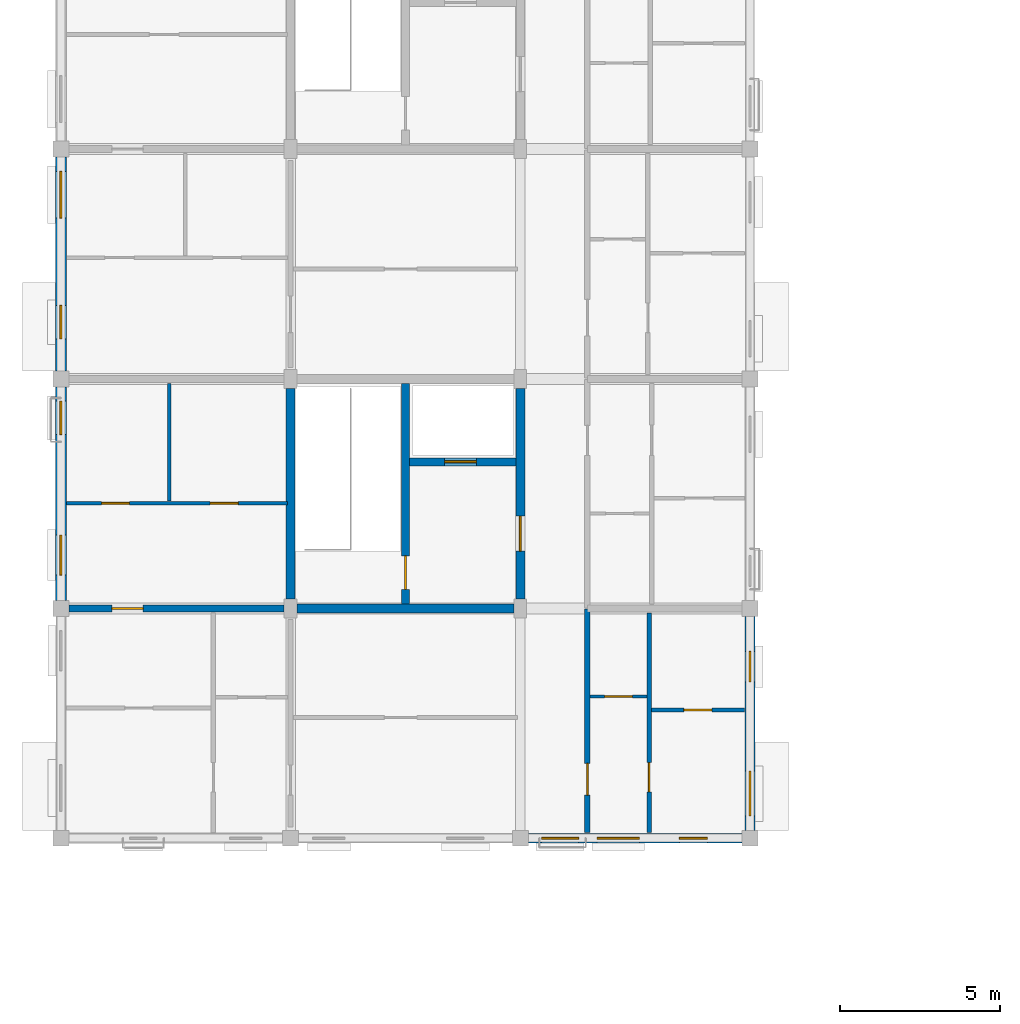
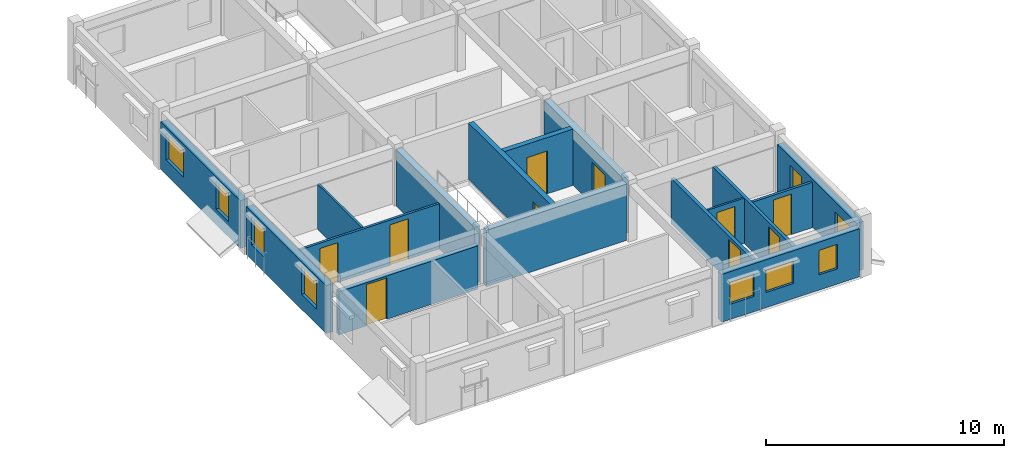
# One storey, part 44 of 64: 16 walls, 10 doors, 9 windows, 19 openings.
"""IFC4 building model written with IfcOpenShell, lengths in metres."""

from ifc_helpers import new_model, si_unit, direction, frame, frame_2d, origin, place, context, subcontext, project, spatial, rectangle, extrude, material, layer, layer_set, type_object, element, fill, save


model = new_model("IFC4")

# Units and contexts
model_context = context("Model", 3, precision=1e-05, world=origin(), true_north=direction((0.0, 1.0)))
body_context = subcontext(model_context, "Body", "Model", "MODEL_VIEW")
ifc_project = project(units=[si_unit("LENGTHUNIT", "METRE"), si_unit("AREAUNIT", "SQUARE_METRE"), si_unit("VOLUMEUNIT", "CUBIC_METRE"), si_unit("PLANEANGLEUNIT", "RADIAN"), si_unit("MASSUNIT", "GRAM", prefix="KILO"), si_unit("THERMODYNAMICTEMPERATUREUNIT", "KELVIN"), si_unit("POWERUNIT", "WATT")], contexts=[model_context])

# Site, building, storey
site_placement = place(None, origin())
site = spatial("IfcSite", under=ifc_project, at=site_placement, CompositionType="ELEMENT")
building_placement = place(site_placement, origin())
building = spatial("IfcBuilding", under=site, at=building_placement, Name="Tavuni Mirador Residences", CompositionType="ELEMENT")
storey_placement = place(building_placement, frame((0.0, 0.0, 26.550048828125)))
storey = spatial("IfcBuildingStorey", under=building, at=storey_placement, Name="L08", CompositionType="ELEMENT", Elevation=26.550048828125)

# Wall, opening, door
ifc_material_1 = material(Name="Precast concrete C40/50", Category="concrete")
ifc_layer_1 = layer(ifc_material_1, 0.25, Name="Precast concrete C40/50", Category="concrete")
ifc_layer_set_1 = layer_set([ifc_layer_1], Name="Precast concrete C40/50")
wall_type_1 = type_object("IfcWallType", Name="WT-COR250", PredefinedType="SHEAR", material=ifc_layer_set_1)
wall_1_placement = place(storey_placement, frame((14.39990234375, 72.139892578125, 0.0), z_axis=(0.0, 0.0, 1.0), x_axis=(0.0, 1.0, 0.0)))
wall_1 = element("IfcWall", 1, at=wall_1_placement, inside=storey, type_object=wall_type_1, Name="CWALL-C3-L08-MID", PredefinedType="SHEAR", context=body_context, shape_type="SweptSolid", body=[
    extrude(rectangle(XDim=6.920166015625, YDim=0.25, at=frame_2d((3.4599609375, 0.0))), origin(), (0.0, 0.0, 1.0), 2.889892578125),
])
opening_1_placement = place(wall_1_placement, frame((0.4599609375, 0.0, 0.0)))
opening_1 = element("IfcOpeningElement", 2, at=opening_1_placement, cuts=wall_1, Name="Opening D-01", PredefinedType="OPENING", context=body_context, shape_type="SweptSolid", body=[
    extrude(rectangle(XDim=1.050048828125, YDim=2.14990234375, at=frame_2d((0.52490234375, 1.074951171875))), frame((0.0, 0.135009765625, 0.0), z_axis=(0.0, -1.0, 0.0), x_axis=(1.0, 0.0, 0.0)), (0.0, 0.0, 1.0), 0.27001953125),
])
ifc_material_2 = material(Name="Solid core iroko timber", Category="wood")
door_type_1 = type_object("IfcDoorType", Name="DT-ST1050", OperationType="NOTDEFINED", PredefinedType="DOOR", material=ifc_material_2)
door_1_placement = place(opening_1_placement, origin())
door_1 = element("IfcDoor", 3, at=door_1_placement, inside=storey, type_object=door_type_1, Name="DR-2137", OperationType="SINGLE_SWING_LEFT", OverallHeight=2.14990234375, OverallWidth=1.050048828125, PredefinedType="DOOR", context=body_context, shape_type="SweptSolid", body=[
    extrude(rectangle(XDim=1.050048828125, YDim=2.14990234375, at=frame_2d((0.52490234375, 1.074951171875))), frame((0.0, 0.02490234375, 0.0), z_axis=(0.0, -1.0, 0.0), x_axis=(1.0, 0.0, 0.0)), (0.0, 0.0, 1.0), 0.050048828125),
])
fill(opening_1, door_1)

wall_2_placement = place(storey_placement, frame((14.52490234375, 76.60009765625, 0.0), z_axis=(0.0, 0.0, 1.0), x_axis=(1.0, 0.0, 0.0)))
wall_2 = element("IfcWall", 4, at=wall_2_placement, inside=storey, type_object=wall_type_1, Name="CWALL-C3-L08-SHF", PredefinedType="SHEAR", context=body_context, shape_type="SweptSolid", body=[
    extrude(rectangle(XDim=3.335205078125, YDim=0.25, at=frame_2d((1.66748046875, 0.0))), origin(), (0.0, 0.0, 1.0), 2.889892578125),
])
opening_2_placement = place(wall_2_placement, frame((1.10009765625, 0.0, 0.0)))
opening_2 = element("IfcOpeningElement", 5, at=opening_2_placement, cuts=wall_2, Name="Opening LD-02", PredefinedType="OPENING", context=body_context, shape_type="SweptSolid", body=[
    extrude(rectangle(XDim=1.0, YDim=2.199951171875, at=frame_2d((0.5, 1.10009765625))), frame((0.0, 0.135009765625, 0.0), z_axis=(0.0, -1.0, 0.0), x_axis=(1.0, 0.0, 0.0)), (0.0, 0.0, 1.0), 0.27001953125),
])
ifc_material_3 = material(Name="Structural steel S355", Category="steel")
door_type_2 = type_object("IfcDoorType", Name="DT-LD-PAX", OperationType="SLIDING_TO_LEFT", PredefinedType="DOOR", material=ifc_material_3)
door_2_placement = place(opening_2_placement, origin())
door_2 = element("IfcDoor", 6, at=door_2_placement, inside=storey, type_object=door_type_2, Name="Lift landing door PL-B1 L08", OperationType="SLIDING_TO_LEFT", OverallHeight=2.199951171875, OverallWidth=1.0, PredefinedType="DOOR", context=body_context, shape_type="SweptSolid", body=[
    extrude(rectangle(XDim=1.0, YDim=2.199951171875, at=frame_2d((0.5, 1.10009765625))), frame((0.0, 0.02490234375, 0.0), z_axis=(0.0, -1.0, 0.0), x_axis=(1.0, 0.0, 0.0)), (0.0, 0.0, 1.0), 0.050048828125),
])
fill(opening_2, door_2)

# Wall
ifc_layer_2 = layer(ifc_material_1, 0.280029296875, Name="Precast concrete C40/50", Category="concrete")
ifc_layer_set_2 = layer_set([ifc_layer_2], Name="Precast concrete C40/50")
wall_type_2 = type_object("IfcWallType", Name="WT-COR280", PredefinedType="SHEAR", material=ifc_layer_set_2)
wall_3_placement = place(storey_placement, frame((10.800048828125, 72.300048828125, 0.0), z_axis=(0.0, 0.0, 1.0), x_axis=(0.0, 1.0, 0.0)))
element("IfcWall", 7, at=wall_3_placement, inside=storey, type_object=wall_type_2, Name="CWALL-C3-L08-W", PredefinedType="SHEAR", context=body_context, shape_type="SweptSolid", body=[
    extrude(rectangle(XDim=6.599853515625, YDim=0.280029296875, at=frame_2d((3.2998046875, 0.0))), origin(), (0.0, 0.0, 1.0), 2.889892578125),
])

# Wall, opening, door
wall_4_placement = place(storey_placement, frame((18.0, 72.300048828125, 0.0), z_axis=(0.0, 0.0, 1.0), x_axis=(0.0, 1.0, 0.0)))
wall_4 = element("IfcWall", 8, at=wall_4_placement, inside=storey, type_object=wall_type_2, Name="CWALL-C3-L08-E", PredefinedType="SHEAR", context=body_context, shape_type="SweptSolid", body=[
    extrude(rectangle(XDim=6.599853515625, YDim=0.280029296875, at=frame_2d((3.2998046875, 0.0))), origin(), (0.0, 0.0, 1.0), 2.889892578125),
])
opening_3_placement = place(wall_4_placement, frame((1.5, 0.0, 0.0)))
opening_3 = element("IfcOpeningElement", 9, at=opening_3_placement, cuts=wall_4, Name="Opening D-02", PredefinedType="OPENING", context=body_context, shape_type="SweptSolid", body=[
    extrude(rectangle(XDim=1.10009765625, YDim=2.14990234375, at=frame_2d((0.550048828125, 1.074951171875))), frame((0.0, 0.14990234375, 0.0), z_axis=(0.0, -1.0, 0.0), x_axis=(1.0, 0.0, 0.0)), (0.0, 0.0, 1.0), 0.300048828125),
])
door_type_3 = type_object("IfcDoorType", Name="DT-LOB1100", OperationType="NOTDEFINED", PredefinedType="DOOR", material=ifc_material_2)
door_3_placement = place(opening_3_placement, frame((1.10009765625, 0.0, 0.0), z_axis=(0.0, 0.0, 1.0), x_axis=(-1.0, 0.0, 0.0)))
door_3 = element("IfcDoor", 10, at=door_3_placement, inside=storey, type_object=door_type_3, Name="DR-2136", OperationType="SINGLE_SWING_LEFT", OverallHeight=2.14990234375, OverallWidth=1.10009765625, PredefinedType="DOOR", context=body_context, shape_type="SweptSolid", body=[
    extrude(rectangle(XDim=1.10009765625, YDim=2.14990234375, at=frame_2d((0.550048828125, 1.074951171875))), frame((0.0, 0.02490234375, 0.0), z_axis=(0.0, -1.0, 0.0), x_axis=(1.0, 0.0, 0.0)), (0.0, 0.0, 1.0), 0.050048828125),
])
fill(opening_3, door_3)

# Wall
wall_5_placement = place(storey_placement, frame((11.0, 72.0, 0.0), z_axis=(0.0, 0.0, 1.0), x_axis=(1.0, 0.0, 0.0)))
element("IfcWall", 11, at=wall_5_placement, inside=storey, type_object=wall_type_2, Name="CWALL-C3-L08-SS", PredefinedType="SHEAR", context=body_context, shape_type="SweptSolid", body=[
    extrude(rectangle(XDim=6.800048828125, YDim=0.280029296875, at=frame_2d((3.39990234375, 0.0))), origin(), (0.0, 0.0, 1.0), 2.889892578125),
])

# Wall, opening, door
ifc_layer_3 = layer(ifc_material_1, 0.1650390625, Name="Precast concrete C40/50", Category="concrete")
ifc_layer_set_3 = layer_set([ifc_layer_3], Name="Precast concrete C40/50")
wall_type_3 = type_object("IfcWallType", Name="WT-CORR165", PredefinedType="PARTITIONING", material=ifc_layer_set_3)
wall_6_placement = place(storey_placement, frame((20.10009765625, 64.97509765625, 0.0), z_axis=(0.0, 0.0, 1.0), x_axis=(0.0, 1.0, 0.0)))
wall_6 = element("IfcWall", 12, at=wall_6_placement, inside=storey, type_object=wall_type_3, Name="CORW-BLK-B-L08-0-00", PredefinedType="PARTITIONING", context=body_context, shape_type="SweptSolid", body=[
    extrude(rectangle(XDim=7.0048828125, YDim=0.1650390625, at=frame_2d((3.50244140625, 0.0))), origin(), (0.0, 0.0, 1.0), 2.324951171875),
])
opening_4_placement = place(wall_6_placement, frame((1.175048828125, 0.0, 0.0)))
opening_4 = element("IfcOpeningElement", 13, at=opening_4_placement, cuts=wall_6, Name="Opening D-03", PredefinedType="OPENING", context=body_context, shape_type="SweptSolid", body=[
    extrude(rectangle(XDim=1.0, YDim=2.14990234375, at=frame_2d((0.5, 1.074951171875))), frame((0.0, 0.092529296875, 0.0), z_axis=(0.0, -1.0, 0.0), x_axis=(1.0, 0.0, 0.0)), (0.0, 0.0, 1.0), 0.18505859375),
])
door_type_4 = type_object("IfcDoorType", Name="DT-FD60-1000", OperationType="NOTDEFINED", PredefinedType="DOOR", material=ifc_material_2)
door_4_placement = place(opening_4_placement, origin())
door_4 = element("IfcDoor", 14, at=door_4_placement, inside=storey, type_object=door_type_4, Name="DR-2589", OperationType="SINGLE_SWING_RIGHT", OverallHeight=2.14990234375, OverallWidth=1.0, PredefinedType="DOOR", context=body_context, shape_type="SweptSolid", body=[
    extrude(rectangle(XDim=1.0, YDim=2.14990234375, at=frame_2d((0.5, 1.074951171875))), frame((0.0, 0.02490234375, 0.0), z_axis=(0.0, -1.0, 0.0), x_axis=(1.0, 0.0, 0.0)), (0.0, 0.0, 1.0), 0.050048828125),
])
fill(opening_4, door_4)

# Wall, openings, windows
ifc_material_4 = material(Name="Sgraffito lime-rendered precast concrete C40/50", Category="concrete")
ifc_layer_4 = layer(ifc_material_4, 0.2900390625, Name="Sgraffito lime-rendered precast concrete C40/50", Category="concrete")
ifc_layer_set_4 = layer_set([ifc_layer_4], Name="Sgraffito lime-rendered precast concrete C40/50")
wall_type_4 = type_object("IfcWallType", Name="WT-EXT-PC290", PredefinedType="SOLIDWALL", material=ifc_layer_set_4)
wall_7_placement = place(storey_placement, frame((18.25, 64.800048828125, 0.0), z_axis=(0.0, 0.0, 1.0), x_axis=(1.0, 0.0, 0.0)))
wall_7 = element("IfcWall", 15, at=wall_7_placement, inside=storey, type_object=wall_type_4, Name="EW-BLK-B-L08-S02", PredefinedType="SOLIDWALL", context=body_context, shape_type="SweptSolid", body=[
    extrude(rectangle(XDim=6.699951171875, YDim=0.2900390625, at=frame_2d((3.35009765625, 0.0))), origin(), (0.0, 0.0, 1.0), 2.4599609375),
])
opening_5_placement = place(wall_7_placement, frame((0.4150390625, 0.0, 0.780029296875)))
opening_5 = element("IfcOpeningElement", 16, at=opening_5_placement, cuts=wall_7, Name="Opening WN-05", PredefinedType="OPENING", context=body_context, shape_type="SweptSolid", body=[
    extrude(rectangle(XDim=1.159912109375, YDim=1.14990234375, at=frame_2d((0.580078125, 0.574951171875))), frame((0.0, 0.155029296875, 0.0), z_axis=(0.0, -1.0, 0.0), x_axis=(1.0, 0.0, 0.0)), (0.0, 0.0, 1.0), 0.31005859375),
])
opening_6_placement = place(wall_7_placement, frame((2.159912109375, 0.0, 0.780029296875)))
opening_6 = element("IfcOpeningElement", 17, at=opening_6_placement, cuts=wall_7, Name="Opening WN-07", PredefinedType="OPENING", context=body_context, shape_type="SweptSolid", body=[
    extrude(rectangle(XDim=1.320068359375, YDim=1.14990234375, at=frame_2d((0.66015625, 0.574951171875))), frame((0.0, 0.155029296875, 0.0), z_axis=(0.0, -1.0, 0.0), x_axis=(1.0, 0.0, 0.0)), (0.0, 0.0, 1.0), 0.31005859375),
])
opening_7_placement = place(wall_7_placement, frame((4.735107421875, 0.0, 0.780029296875)))
opening_7 = element("IfcOpeningElement", 18, at=opening_7_placement, cuts=wall_7, Name="Opening WN-09", PredefinedType="OPENING", context=body_context, shape_type="SweptSolid", body=[
    extrude(rectangle(XDim=0.8798828125, YDim=1.260009765625, at=frame_2d((0.43994140625, 0.6298828125))), frame((0.0, 0.155029296875, 0.0), z_axis=(0.0, -1.0, 0.0), x_axis=(1.0, 0.0, 0.0)), (0.0, 0.0, 1.0), 0.31005859375),
])
ifc_material_5 = material(Name="Laminated solar-control glass", Category="glass")
window_type_1 = type_object("IfcWindowType", Name="WNT-05", PartitioningType="SINGLE_PANEL", PredefinedType="WINDOW", material=ifc_material_5)
window_1_placement = place(opening_5_placement, origin())
window_1 = element("IfcWindow", 19, at=window_1_placement, inside=storey, type_object=window_type_1, Name="WIN-0776", OverallHeight=1.14990234375, OverallWidth=1.159912109375, PartitioningType="SINGLE_PANEL", PredefinedType="WINDOW", context=body_context, shape_type="SweptSolid", body=[
    extrude(rectangle(XDim=1.159912109375, YDim=1.14990234375, at=frame_2d((0.580078125, 0.574951171875))), frame((0.0, 0.030029296875, 0.0), z_axis=(0.0, -1.0, 0.0), x_axis=(1.0, 0.0, 0.0)), (0.0, 0.0, 1.0), 0.06005859375),
])
fill(opening_5, window_1)
window_type_2 = type_object("IfcWindowType", Name="WNT-07", PartitioningType="SINGLE_PANEL", PredefinedType="WINDOW", material=ifc_material_5)
window_2_placement = place(opening_6_placement, origin())
window_2 = element("IfcWindow", 20, at=window_2_placement, inside=storey, type_object=window_type_2, Name="WIN-0777", OverallHeight=1.14990234375, OverallWidth=1.320068359375, PartitioningType="SINGLE_PANEL", PredefinedType="WINDOW", context=body_context, shape_type="SweptSolid", body=[
    extrude(rectangle(XDim=1.320068359375, YDim=1.14990234375, at=frame_2d((0.66015625, 0.574951171875))), frame((0.0, 0.030029296875, 0.0), z_axis=(0.0, -1.0, 0.0), x_axis=(1.0, 0.0, 0.0)), (0.0, 0.0, 1.0), 0.06005859375),
])
fill(opening_6, window_2)
window_type_3 = type_object("IfcWindowType", Name="WNT-09", PartitioningType="SINGLE_PANEL", PredefinedType="WINDOW", material=ifc_material_5)
window_3_placement = place(opening_7_placement, origin())
window_3 = element("IfcWindow", 21, at=window_3_placement, inside=storey, type_object=window_type_3, Name="WIN-0778", OverallHeight=1.260009765625, OverallWidth=0.8798828125, PartitioningType="SINGLE_PANEL", PredefinedType="WINDOW", context=body_context, shape_type="SweptSolid", body=[
    extrude(rectangle(XDim=0.8798828125, YDim=1.260009765625, at=frame_2d((0.43994140625, 0.6298828125))), frame((0.0, 0.030029296875, 0.0), z_axis=(0.0, -1.0, 0.0), x_axis=(1.0, 0.0, 0.0)), (0.0, 0.0, 1.0), 0.06005859375),
])
fill(opening_7, window_3)

ifc_layer_5 = layer(ifc_material_4, 0.31494140625, Name="Sgraffito lime-rendered precast concrete C40/50", Category="concrete")
ifc_layer_set_5 = layer_set([ifc_layer_5], Name="Sgraffito lime-rendered precast concrete C40/50")
wall_type_5 = type_object("IfcWallType", Name="WT-EXT-PC315", PredefinedType="SOLIDWALL", material=ifc_layer_set_5)
wall_8_placement = place(storey_placement, frame((25.199951171875, 65.050048828125, 0.0), z_axis=(0.0, 0.0, 1.0), x_axis=(0.0, 1.0, 0.0)))
wall_8 = element("IfcWall", 22, at=wall_8_placement, inside=storey, type_object=wall_type_5, Name="EW-BLK-B-L08-E00", PredefinedType="SOLIDWALL", context=body_context, shape_type="SweptSolid", body=[
    extrude(rectangle(XDim=6.699951171875, YDim=0.31494140625, at=frame_2d((3.35009765625, 0.0))), origin(), (0.0, 0.0, 1.0), 2.4599609375),
])
opening_8_placement = place(wall_8_placement, frame((0.449951171875, 0.0, 0.780029296875)))
opening_8 = element("IfcOpeningElement", 23, at=opening_8_placement, cuts=wall_8, Name="Opening WN-08", PredefinedType="OPENING", context=body_context, shape_type="SweptSolid", body=[
    extrude(rectangle(XDim=1.39990234375, YDim=1.14990234375, at=frame_2d((0.699951171875, 0.574951171875))), frame((0.0, 0.16748046875, 0.0), z_axis=(0.0, -1.0, 0.0), x_axis=(1.0, 0.0, 0.0)), (0.0, 0.0, 1.0), 0.3349609375),
])
opening_9_placement = place(wall_8_placement, frame((4.64990234375, 0.0, 0.780029296875)))
opening_9 = element("IfcOpeningElement", 24, at=opening_9_placement, cuts=wall_8, Name="Opening WN-10", PredefinedType="OPENING", context=body_context, shape_type="SweptSolid", body=[
    extrude(rectangle(XDim=0.9599609375, YDim=1.260009765625, at=frame_2d((0.47998046875, 0.6298828125))), frame((0.0, 0.16748046875, 0.0), z_axis=(0.0, -1.0, 0.0), x_axis=(1.0, 0.0, 0.0)), (0.0, 0.0, 1.0), 0.3349609375),
])
window_type_4 = type_object("IfcWindowType", Name="WNT-08", PartitioningType="SINGLE_PANEL", PredefinedType="WINDOW", material=ifc_material_5)
window_4_placement = place(opening_8_placement, origin())
window_4 = element("IfcWindow", 25, at=window_4_placement, inside=storey, type_object=window_type_4, Name="WIN-0779", OverallHeight=1.14990234375, OverallWidth=1.39990234375, PartitioningType="SINGLE_PANEL", PredefinedType="WINDOW", context=body_context, shape_type="SweptSolid", body=[
    extrude(rectangle(XDim=1.39990234375, YDim=1.14990234375, at=frame_2d((0.699951171875, 0.574951171875))), frame((0.0, 0.030029296875, 0.0), z_axis=(0.0, -1.0, 0.0), x_axis=(1.0, 0.0, 0.0)), (0.0, 0.0, 1.0), 0.06005859375),
])
fill(opening_8, window_4)
window_type_5 = type_object("IfcWindowType", Name="WNT-10", PartitioningType="SINGLE_PANEL", PredefinedType="WINDOW", material=ifc_material_5)
window_5_placement = place(opening_9_placement, origin())
window_5 = element("IfcWindow", 26, at=window_5_placement, inside=storey, type_object=window_type_5, Name="WIN-0780", OverallHeight=1.260009765625, OverallWidth=0.9599609375, PartitioningType="SINGLE_PANEL", PredefinedType="WINDOW", context=body_context, shape_type="SweptSolid", body=[
    extrude(rectangle(XDim=0.9599609375, YDim=1.260009765625, at=frame_2d((0.47998046875, 0.6298828125))), frame((0.0, 0.030029296875, 0.0), z_axis=(0.0, -1.0, 0.0), x_axis=(1.0, 0.0, 0.0)), (0.0, 0.0, 1.0), 0.06005859375),
])
fill(opening_9, window_5)

ifc_layer_6 = layer(ifc_material_4, 0.344970703125, Name="Sgraffito lime-rendered precast concrete C40/50", Category="concrete")
ifc_layer_set_6 = layer_set([ifc_layer_6], Name="Sgraffito lime-rendered precast concrete C40/50")
wall_type_6 = type_object("IfcWallType", Name="WT-EXT-PTY345", PredefinedType="SOLIDWALL", material=ifc_layer_set_6)
wall_9_placement = place(storey_placement, frame((3.60009765625, 86.14990234375, 0.0), z_axis=(0.0, 0.0, 1.0), x_axis=(0.0, -1.0, 0.0)))
wall_9 = element("IfcWall", 27, at=wall_9_placement, inside=storey, type_object=wall_type_6, Name="EW-BLK-B-L08-W02", PredefinedType="SOLIDWALL", context=body_context, shape_type="SweptSolid", body=[
    extrude(rectangle(XDim=6.699951171875, YDim=0.344970703125, at=frame_2d((3.35009765625, 0.0))), origin(), (0.0, 0.0, 1.0), 2.4599609375),
])
opening_10_placement = place(wall_9_placement, frame((0.449951171875, 0.0, 0.780029296875)))
opening_10 = element("IfcOpeningElement", 28, at=opening_10_placement, cuts=wall_9, Name="Opening WN-24", PredefinedType="OPENING", context=body_context, shape_type="SweptSolid", body=[
    extrude(rectangle(XDim=1.4599609375, YDim=1.360107421875, at=frame_2d((0.72998046875, 0.68017578125))), frame((0.0, 0.1826171875, 0.0), z_axis=(0.0, -1.0, 0.0), x_axis=(1.0, 0.0, 0.0)), (0.0, 0.0, 1.0), 0.364990234375),
])
opening_11_placement = place(wall_9_placement, frame((4.64990234375, 0.0, 0.780029296875)))
opening_11 = element("IfcOpeningElement", 29, at=opening_11_placement, cuts=wall_9, Name="Opening WN-26", PredefinedType="OPENING", context=body_context, shape_type="SweptSolid", body=[
    extrude(rectangle(XDim=1.050048828125, YDim=1.43994140625, at=frame_2d((0.52490234375, 0.719970703125))), frame((0.0, 0.1826171875, 0.0), z_axis=(0.0, -1.0, 0.0), x_axis=(1.0, 0.0, 0.0)), (0.0, 0.0, 1.0), 0.364990234375),
])
window_type_6 = type_object("IfcWindowType", Name="WNT-24", PartitioningType="SINGLE_PANEL", PredefinedType="WINDOW", material=ifc_material_5)
window_6_placement = place(opening_10_placement, origin())
window_6 = element("IfcWindow", 30, at=window_6_placement, inside=storey, type_object=window_type_6, Name="WIN-0795", OverallHeight=1.360107421875, OverallWidth=1.4599609375, PartitioningType="SINGLE_PANEL", PredefinedType="WINDOW", context=body_context, shape_type="SweptSolid", body=[
    extrude(rectangle(XDim=1.4599609375, YDim=1.360107421875, at=frame_2d((0.72998046875, 0.68017578125))), frame((0.0, 0.030029296875, 0.0), z_axis=(0.0, -1.0, 0.0), x_axis=(1.0, 0.0, 0.0)), (0.0, 0.0, 1.0), 0.06005859375),
])
fill(opening_10, window_6)
window_type_7 = type_object("IfcWindowType", Name="WNT-26", PartitioningType="SINGLE_PANEL", PredefinedType="WINDOW", material=ifc_material_5)
window_7_placement = place(opening_11_placement, origin())
window_7 = element("IfcWindow", 31, at=window_7_placement, inside=storey, type_object=window_type_7, Name="WIN-0796", OverallHeight=1.43994140625, OverallWidth=1.050048828125, PartitioningType="SINGLE_PANEL", PredefinedType="WINDOW", context=body_context, shape_type="SweptSolid", body=[
    extrude(rectangle(XDim=1.050048828125, YDim=1.43994140625, at=frame_2d((0.52490234375, 0.719970703125))), frame((0.0, 0.030029296875, 0.0), z_axis=(0.0, -1.0, 0.0), x_axis=(1.0, 0.0, 0.0)), (0.0, 0.0, 1.0), 0.06005859375),
])
fill(opening_11, window_7)

wall_10_placement = place(storey_placement, frame((3.60009765625, 78.949951171875, 0.0), z_axis=(0.0, 0.0, 1.0), x_axis=(0.0, -1.0, 0.0)))
wall_10 = element("IfcWall", 32, at=wall_10_placement, inside=storey, type_object=wall_type_6, Name="EW-BLK-B-L08-W01", PredefinedType="SOLIDWALL", context=body_context, shape_type="SweptSolid", body=[
    extrude(rectangle(XDim=6.699951171875, YDim=0.344970703125, at=frame_2d((3.35009765625, 0.0))), origin(), (0.0, 0.0, 1.0), 2.4599609375),
])
opening_12_placement = place(wall_10_placement, frame((0.449951171875, 0.0, 0.780029296875)))
opening_12 = element("IfcOpeningElement", 33, at=opening_12_placement, cuts=wall_10, Name="Opening WN-26", PredefinedType="OPENING", context=body_context, shape_type="SweptSolid", body=[
    extrude(rectangle(XDim=1.050048828125, YDim=1.43994140625, at=frame_2d((0.52490234375, 0.719970703125))), frame((0.0, 0.1826171875, 0.0), z_axis=(0.0, -1.0, 0.0), x_axis=(1.0, 0.0, 0.0)), (0.0, 0.0, 1.0), 0.364990234375),
])
opening_13_placement = place(wall_10_placement, frame((4.64990234375, 0.0, 0.780029296875)))
opening_13 = element("IfcOpeningElement", 34, at=opening_13_placement, cuts=wall_10, Name="Opening WN-28", PredefinedType="OPENING", context=body_context, shape_type="SweptSolid", body=[
    extrude(rectangle(XDim=1.25, YDim=1.43994140625, at=frame_2d((0.625, 0.719970703125))), frame((0.0, 0.1826171875, 0.0), z_axis=(0.0, -1.0, 0.0), x_axis=(1.0, 0.0, 0.0)), (0.0, 0.0, 1.0), 0.364990234375),
])
window_8_placement = place(opening_12_placement, origin())
window_8 = element("IfcWindow", 35, at=window_8_placement, inside=storey, type_object=window_type_7, Name="WIN-0797", OverallHeight=1.43994140625, OverallWidth=1.050048828125, PartitioningType="SINGLE_PANEL", PredefinedType="WINDOW", context=body_context, shape_type="SweptSolid", body=[
    extrude(rectangle(XDim=1.050048828125, YDim=1.43994140625, at=frame_2d((0.52490234375, 0.719970703125))), frame((0.0, 0.030029296875, 0.0), z_axis=(0.0, -1.0, 0.0), x_axis=(1.0, 0.0, 0.0)), (0.0, 0.0, 1.0), 0.06005859375),
])
fill(opening_12, window_8)
window_type_8 = type_object("IfcWindowType", Name="WNT-28", PartitioningType="SINGLE_PANEL", PredefinedType="WINDOW", material=ifc_material_5)
window_9_placement = place(opening_13_placement, origin())
window_9 = element("IfcWindow", 36, at=window_9_placement, inside=storey, type_object=window_type_8, Name="WIN-0798", OverallHeight=1.43994140625, OverallWidth=1.25, PartitioningType="SINGLE_PANEL", PredefinedType="WINDOW", context=body_context, shape_type="SweptSolid", body=[
    extrude(rectangle(XDim=1.25, YDim=1.43994140625, at=frame_2d((0.625, 0.719970703125))), frame((0.0, 0.030029296875, 0.0), z_axis=(0.0, -1.0, 0.0), x_axis=(1.0, 0.0, 0.0)), (0.0, 0.0, 1.0), 0.06005859375),
])
fill(opening_13, window_9)

# Wall, opening, door
ifc_material_6 = material(Name="Acoustic gypsum and concrete block partition", Category="concrete")
ifc_layer_7 = layer(ifc_material_6, 0.094970703125, Name="Acoustic gypsum and concrete block partition", Category="concrete")
ifc_layer_set_7 = layer_set([ifc_layer_7], Name="Acoustic gypsum and concrete block partition")
wall_type_7 = type_object("IfcWallType", Name="WT-PART095", PredefinedType="PARTITIONING", material=ifc_layer_set_7)
wall_11_placement = place(storey_placement, frame((20.18994140625, 69.239990234375, 0.0), z_axis=(0.0, 0.0, 1.0), x_axis=(1.0, 0.0, 0.0)))
wall_11 = element("IfcWall", 37, at=wall_11_placement, inside=storey, type_object=wall_type_7, Name="PW-BLK-B-L08-E00-IN1", PredefinedType="PARTITIONING", context=body_context, shape_type="SweptSolid", body=[
    extrude(rectangle(XDim=1.780029296875, YDim=0.094970703125, at=frame_2d((0.89013671875, 0.0))), origin(), (0.0, 0.0, 1.0), 2.324951171875),
])
opening_14_placement = place(wall_11_placement, frame((0.455078125, 0.0, 0.0)))
opening_14 = element("IfcOpeningElement", 38, at=opening_14_placement, cuts=wall_11, Name="Opening D-10", PredefinedType="OPENING", context=body_context, shape_type="SweptSolid", body=[
    extrude(rectangle(XDim=0.8701171875, YDim=2.050048828125, at=frame_2d((0.43505859375, 1.02490234375))), frame((0.0, 0.0576171875, 0.0), z_axis=(0.0, -1.0, 0.0), x_axis=(1.0, 0.0, 0.0)), (0.0, 0.0, 1.0), 0.114990234375),
])
door_type_5 = type_object("IfcDoorType", Name="DT-WC870", OperationType="NOTDEFINED", PredefinedType="DOOR", material=ifc_material_2)
door_5_placement = place(opening_14_placement, origin())
door_5 = element("IfcDoor", 39, at=door_5_placement, inside=storey, type_object=door_type_5, Name="DR-3627", OperationType="SINGLE_SWING_LEFT", OverallHeight=2.050048828125, OverallWidth=0.8701171875, PredefinedType="DOOR", context=body_context, shape_type="SweptSolid", body=[
    extrude(rectangle(XDim=0.8701171875, YDim=2.050048828125, at=frame_2d((0.43505859375, 1.02490234375))), frame((0.0, 0.02490234375, 0.0), z_axis=(0.0, -1.0, 0.0), x_axis=(1.0, 0.0, 0.0)), (0.0, 0.0, 1.0), 0.050048828125),
])
fill(opening_14, door_5)

# Wall
ifc_layer_8 = layer(ifc_material_6, 0.10498046875, Name="Acoustic gypsum and concrete block partition", Category="concrete")
ifc_layer_set_8 = layer_set([ifc_layer_8], Name="Acoustic gypsum and concrete block partition")
wall_type_8 = type_object("IfcWallType", Name="WT-PART105", PredefinedType="PARTITIONING", material=ifc_layer_set_8)
wall_12_placement = place(storey_placement, frame((7.0, 75.3701171875, 0.0), z_axis=(0.0, 0.0, 1.0), x_axis=(0.0, 1.0, 0.0)))
element("IfcWall", 40, at=wall_12_placement, inside=storey, type_object=wall_type_8, Name="PW-BLK-B-L08-PF01-V", PredefinedType="PARTITIONING", context=body_context, shape_type="SweptSolid", body=[
    extrude(rectangle(XDim=3.68994140625, YDim=0.10498046875, at=frame_2d((1.844970703125, 0.0))), origin(), (0.0, 0.0, 1.0), 2.324951171875),
])

# Wall, openings, doors
ifc_layer_9 = layer(ifc_material_6, 0.114990234375, Name="Acoustic gypsum and concrete block partition", Category="concrete")
ifc_layer_set_9 = layer_set([ifc_layer_9], Name="Acoustic gypsum and concrete block partition")
wall_type_9 = type_object("IfcWallType", Name="WT-PART115", PredefinedType="PARTITIONING", material=ifc_layer_set_9)
wall_13_placement = place(storey_placement, frame((3.77490234375, 75.300048828125, 0.0), z_axis=(0.0, 0.0, 1.0), x_axis=(1.0, 0.0, 0.0)))
wall_13 = element("IfcWall", 41, at=wall_13_placement, inside=storey, type_object=wall_type_9, Name="PW-BLK-B-L08-PF01-H", PredefinedType="PARTITIONING", context=body_context, shape_type="SweptSolid", body=[
    extrude(rectangle(XDim=6.93505859375, YDim=0.114990234375, at=frame_2d((3.467529296875, 0.0))), origin(), (0.0, 0.0, 1.0), 2.324951171875),
])
opening_15_placement = place(wall_13_placement, frame((1.10009765625, 0.0, 0.0)))
opening_15 = element("IfcOpeningElement", 42, at=opening_15_placement, cuts=wall_13, Name="Opening D-10", PredefinedType="OPENING", context=body_context, shape_type="SweptSolid", body=[
    extrude(rectangle(XDim=0.8701171875, YDim=2.050048828125, at=frame_2d((0.43505859375, 1.02490234375))), frame((0.0, 0.0673828125, 0.0), z_axis=(0.0, -1.0, 0.0), x_axis=(1.0, 0.0, 0.0)), (0.0, 0.0, 1.0), 0.135009765625),
])
opening_16_placement = place(wall_13_placement, frame((4.5, 0.0, 0.0)))
opening_16 = element("IfcOpeningElement", 43, at=opening_16_placement, cuts=wall_13, Name="Opening D-08", PredefinedType="OPENING", context=body_context, shape_type="SweptSolid", body=[
    extrude(rectangle(XDim=0.8798828125, YDim=2.080078125, at=frame_2d((0.43994140625, 1.0400390625))), frame((0.0, 0.0673828125, 0.0), z_axis=(0.0, -1.0, 0.0), x_axis=(1.0, 0.0, 0.0)), (0.0, 0.0, 1.0), 0.135009765625),
])
door_type_6 = type_object("IfcDoorType", Name="DT-BED880", OperationType="NOTDEFINED", PredefinedType="DOOR", material=ifc_material_2)
door_6_placement = place(opening_16_placement, origin())
door_6 = element("IfcDoor", 44, at=door_6_placement, inside=storey, type_object=door_type_6, Name="DR-3630", OperationType="SINGLE_SWING_RIGHT", OverallHeight=2.080078125, OverallWidth=0.8798828125, PredefinedType="DOOR", context=body_context, shape_type="SweptSolid", body=[
    extrude(rectangle(XDim=0.8798828125, YDim=2.080078125, at=frame_2d((0.43994140625, 1.0400390625))), frame((0.0, 0.02490234375, 0.0), z_axis=(0.0, -1.0, 0.0), x_axis=(1.0, 0.0, 0.0)), (0.0, 0.0, 1.0), 0.050048828125),
])
fill(opening_16, door_6)
door_7_placement = place(opening_15_placement, origin())
door_7 = element("IfcDoor", 45, at=door_7_placement, inside=storey, type_object=door_type_5, Name="DR-3629", OperationType="SINGLE_SWING_LEFT", OverallHeight=2.050048828125, OverallWidth=0.8701171875, PredefinedType="DOOR", context=body_context, shape_type="SweptSolid", body=[
    extrude(rectangle(XDim=0.8701171875, YDim=2.050048828125, at=frame_2d((0.43505859375, 1.02490234375))), frame((0.0, 0.02490234375, 0.0), z_axis=(0.0, -1.0, 0.0), x_axis=(1.0, 0.0, 0.0)), (0.0, 0.0, 1.0), 0.050048828125),
])
fill(opening_15, door_7)

# Wall, opening, door
ifc_layer_10 = layer(ifc_material_6, 0.125, Name="Acoustic gypsum and concrete block partition", Category="concrete")
ifc_layer_set_10 = layer_set([ifc_layer_10], Name="Acoustic gypsum and concrete block partition")
wall_type_10 = type_object("IfcWallType", Name="WT-PART125", PredefinedType="PARTITIONING", material=ifc_layer_set_10)
wall_14_placement = place(storey_placement, frame((22.110107421875, 68.820068359375, 0.0), z_axis=(0.0, 0.0, 1.0), x_axis=(1.0, 0.0, 0.0)))
wall_14 = element("IfcWall", 46, at=wall_14_placement, inside=storey, type_object=wall_type_10, Name="PW-BLK-B-L08-E00-OUT", PredefinedType="PARTITIONING", context=body_context, shape_type="SweptSolid", body=[
    extrude(rectangle(XDim=2.914794921875, YDim=0.125, at=frame_2d((1.45751953125, 0.0))), origin(), (0.0, 0.0, 1.0), 2.324951171875),
])
opening_17_placement = place(wall_14_placement, frame((1.017578125, 0.0, 0.0)))
opening_17 = element("IfcOpeningElement", 47, at=opening_17_placement, cuts=wall_14, Name="Opening D-08", PredefinedType="OPENING", context=body_context, shape_type="SweptSolid", body=[
    extrude(rectangle(XDim=0.8798828125, YDim=2.080078125, at=frame_2d((0.43994140625, 1.0400390625))), frame((0.0, 0.072509765625, 0.0), z_axis=(0.0, -1.0, 0.0), x_axis=(1.0, 0.0, 0.0)), (0.0, 0.0, 1.0), 0.14501953125),
])
door_8_placement = place(opening_17_placement, origin())
door_8 = element("IfcDoor", 48, at=door_8_placement, inside=storey, type_object=door_type_6, Name="DR-3626", OperationType="SINGLE_SWING_RIGHT", OverallHeight=2.080078125, OverallWidth=0.8798828125, PredefinedType="DOOR", context=body_context, shape_type="SweptSolid", body=[
    extrude(rectangle(XDim=0.8798828125, YDim=2.080078125, at=frame_2d((0.43994140625, 1.0400390625))), frame((0.0, 0.02490234375, 0.0), z_axis=(0.0, -1.0, 0.0), x_axis=(1.0, 0.0, 0.0)), (0.0, 0.0, 1.0), 0.050048828125),
])
fill(opening_17, door_8)

ifc_layer_11 = layer(ifc_material_6, 0.14990234375, Name="Acoustic gypsum and concrete block partition", Category="concrete")
ifc_layer_set_11 = layer_set([ifc_layer_11], Name="Acoustic gypsum and concrete block partition")
wall_type_11 = type_object("IfcWallType", Name="WT-PART150", PredefinedType="PARTITIONING", material=ifc_layer_set_11)
wall_15_placement = place(storey_placement, frame((22.0400390625, 64.97509765625, 0.0), z_axis=(0.0, 0.0, 1.0), x_axis=(0.0, 1.0, 0.0)))
wall_15 = element("IfcWall", 49, at=wall_15_placement, inside=storey, type_object=wall_type_11, Name="PW-BLK-B-L08-E00-MID", PredefinedType="PARTITIONING", context=body_context, shape_type="SweptSolid", body=[
    extrude(rectangle(XDim=6.885009765625, YDim=0.14990234375, at=frame_2d((3.4423828125, 0.0))), origin(), (0.0, 0.0, 1.0), 2.324951171875),
])
opening_18_placement = place(wall_15_placement, frame((1.27490234375, 0.0, 0.0)))
opening_18 = element("IfcOpeningElement", 50, at=opening_18_placement, cuts=wall_15, Name="Opening D-06", PredefinedType="OPENING", context=body_context, shape_type="SweptSolid", body=[
    extrude(rectangle(XDim=0.919921875, YDim=2.10009765625, at=frame_2d((0.4599609375, 1.050048828125))), frame((0.0, 0.0849609375, 0.0), z_axis=(0.0, -1.0, 0.0), x_axis=(1.0, 0.0, 0.0)), (0.0, 0.0, 1.0), 0.169921875),
])
door_type_7 = type_object("IfcDoorType", Name="DT-INT920", OperationType="NOTDEFINED", PredefinedType="DOOR", material=ifc_material_2)
door_9_placement = place(opening_18_placement, origin())
door_9 = element("IfcDoor", 51, at=door_9_placement, inside=storey, type_object=door_type_7, Name="DR-3628", OperationType="SINGLE_SWING_RIGHT", OverallHeight=2.10009765625, OverallWidth=0.919921875, PredefinedType="DOOR", context=body_context, shape_type="SweptSolid", body=[
    extrude(rectangle(XDim=0.919921875, YDim=2.10009765625, at=frame_2d((0.4599609375, 1.050048828125))), frame((0.0, 0.02490234375, 0.0), z_axis=(0.0, -1.0, 0.0), x_axis=(1.0, 0.0, 0.0)), (0.0, 0.0, 1.0), 0.050048828125),
])
fill(opening_18, door_9)

ifc_layer_12 = layer(ifc_material_1, 0.215087890625, Name="Precast concrete C40/50", Category="concrete")
ifc_layer_set_12 = layer_set([ifc_layer_12], Name="Precast concrete C40/50")
wall_type_12 = type_object("IfcWallType", Name="WT-XW215", PredefinedType="SOLIDWALL", material=ifc_layer_set_12)
wall_16_placement = place(storey_placement, frame((3.85009765625, 72.0, 0.0), z_axis=(0.0, 0.0, 1.0), x_axis=(1.0, 0.0, 0.0)))
wall_16 = element("IfcWall", 52, at=wall_16_placement, inside=storey, type_object=wall_type_12, Name="XW-BLK-B-L08-W-01", PredefinedType="SOLIDWALL", context=body_context, shape_type="SweptSolid", body=[
    extrude(rectangle(XDim=6.75, YDim=0.215087890625, at=frame_2d((3.375, 0.0))), origin(), (0.0, 0.0, 1.0), 2.219970703125),
])
opening_19_placement = place(wall_16_placement, frame((1.35009765625, 0.0, 0.0)))
opening_19 = element("IfcOpeningElement", 53, at=opening_19_placement, cuts=wall_16, Name="Opening D-04", PredefinedType="OPENING", context=body_context, shape_type="SweptSolid", body=[
    extrude(rectangle(XDim=0.97998046875, YDim=2.1201171875, at=frame_2d((0.489990234375, 1.06005859375))), frame((0.0, 0.11767578125, 0.0), z_axis=(0.0, -1.0, 0.0), x_axis=(1.0, 0.0, 0.0)), (0.0, 0.0, 1.0), 0.235107421875),
])
door_type_8 = type_object("IfcDoorType", Name="DT-FD60-980", OperationType="NOTDEFINED", PredefinedType="DOOR", material=ifc_material_2)
door_10_placement = place(opening_19_placement, origin())
door_10 = element("IfcDoor", 54, at=door_10_placement, inside=storey, type_object=door_type_8, Name="DR-4724", OperationType="SINGLE_SWING_LEFT", OverallHeight=2.1201171875, OverallWidth=0.97998046875, PredefinedType="DOOR", context=body_context, shape_type="SweptSolid", body=[
    extrude(rectangle(XDim=0.97998046875, YDim=2.1201171875, at=frame_2d((0.489990234375, 1.06005859375))), frame((0.0, 0.02490234375, 0.0), z_axis=(0.0, -1.0, 0.0), x_axis=(1.0, 0.0, 0.0)), (0.0, 0.0, 1.0), 0.050048828125),
])
fill(opening_19, door_10)

save(model, "model.ifc")
